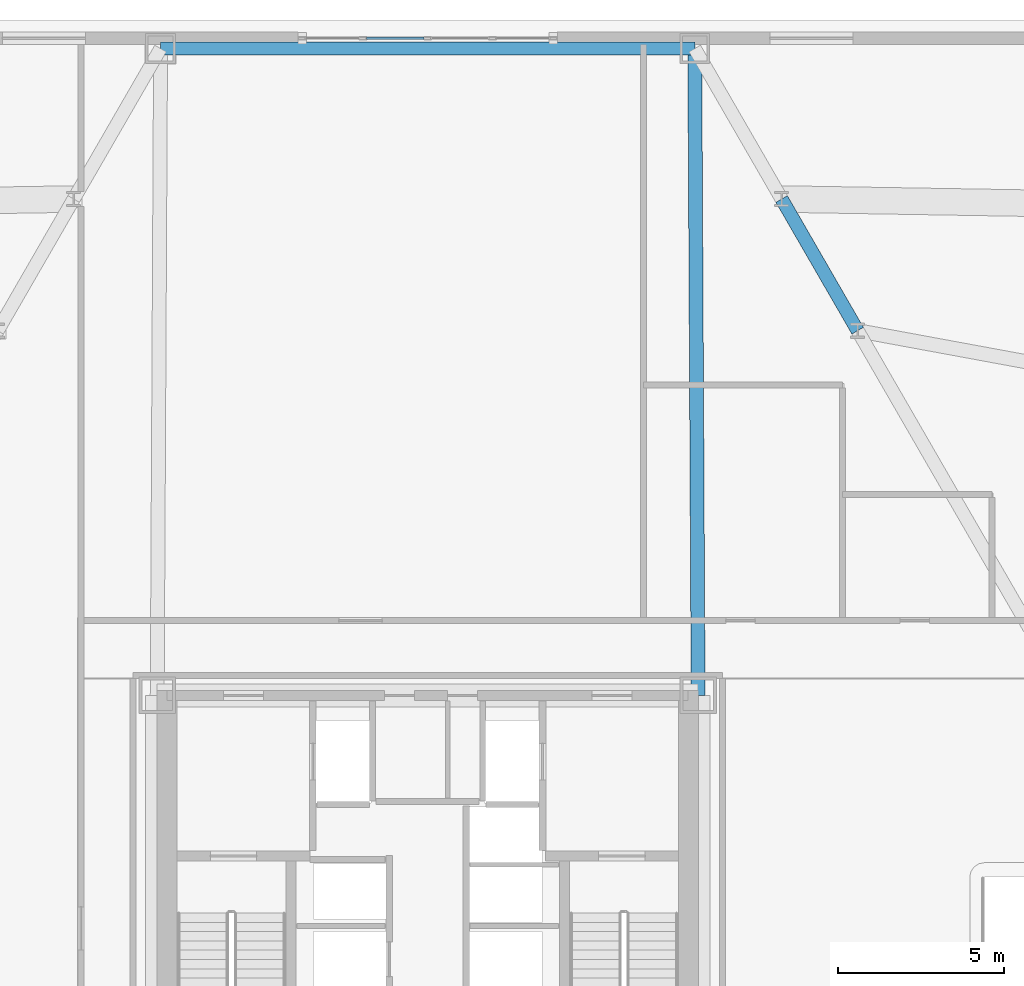
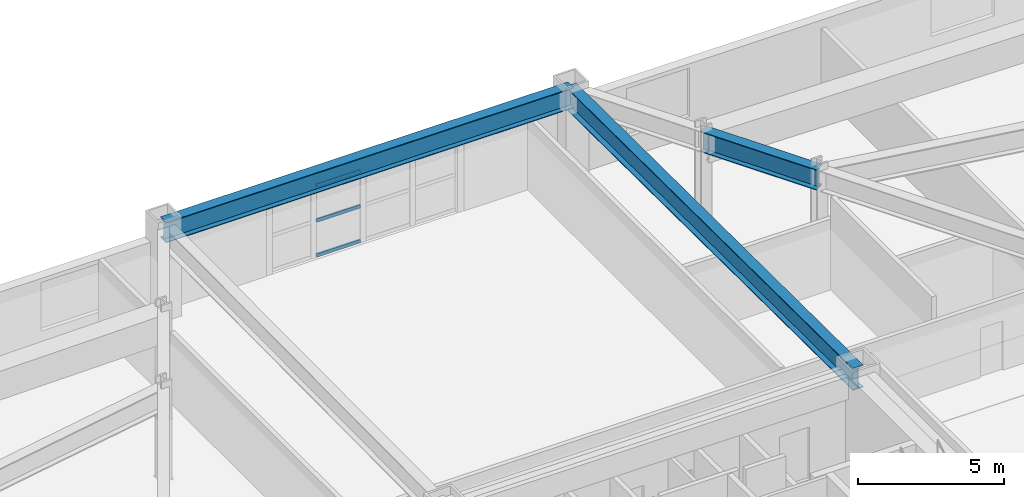
# One storey, part 9 of 22: 3 beams, 3 members, 1 element without a shape of its own.
"""IFC4 building model written with IfcOpenShell, lengths in metres."""

from ifc_helpers import new_model, si_unit, direction, frame, origin, origin_2d, place, context, subcontext, project, spatial, hollow_rectangle, i_section, extrude, material, layer, layer_set, material_profile, profile_set, type_object, element, aggregate, save


model = new_model("IFC4")

# Units and contexts
model_context = context("Model", 3, precision=1e-05, world=origin(), true_north=direction((0.0, 1.0)))
body_context = subcontext(model_context, "Body", "Model", "MODEL_VIEW")
ifc_project = project(units=[si_unit("LENGTHUNIT", "METRE"), si_unit("AREAUNIT", "SQUARE_METRE"), si_unit("VOLUMEUNIT", "CUBIC_METRE"), si_unit("PLANEANGLEUNIT", "RADIAN"), si_unit("MASSUNIT", "GRAM", prefix="KILO")], contexts=[model_context])

# Site, building, storey
site_placement = place(None, origin())
site = spatial("IfcSite", under=ifc_project, at=site_placement, CompositionType="ELEMENT")
building_placement = place(site_placement, origin())
building = spatial("IfcBuilding", under=site, at=building_placement, Name="Oramaril Tower", CompositionType="ELEMENT")
storey_placement = place(building_placement, frame((0.0, 0.0, 14.10009765625)))
storey = spatial("IfcBuildingStorey", under=building, at=storey_placement, Name="L03", CompositionType="ELEMENT", Elevation=14.10009765625)

# Beams
ifc_material_1 = material(Name="Steel ASTM A572 Gr 50", Category="steel")
ifc_material_profile_1 = material_profile(ifc_material_1, i_section(OverallWidth=0.4189453125, OverallDepth=0.927001953125, WebThickness=0.019287109375, FlangeThickness=0.031982421875, at=origin_2d()), Name="W36X231")
ifc_profile_set_1 = profile_set([ifc_material_profile_1], Name="Steel ASTM A572 Gr 50")
beam_type_1 = type_object("IfcBeamType", Name="BT-PG2", PredefinedType="BEAM", material=ifc_profile_set_1)
beam_1_placement = place(storey_placement, frame((45.64990234375, 24.14990234375, 3.456298828125), z_axis=(-0.005223463456, 0.999986357622, 0.0), x_axis=(-0.999986357622, -0.005223463456, 0.0)))
element("IfcBeam", 1, at=beam_1_placement, inside=storey, type_object=beam_type_1, Name="L03 Radial Primary Beam RB-05", PredefinedType="BEAM", context=body_context, shape_type="SweptSolid", body=[
    extrude(i_section(OverallWidth=0.4189453125, OverallDepth=0.927001953125, WebThickness=0.019287109375, FlangeThickness=0.031982421875, at=origin_2d()), origin(), (0.0, 0.0, 1.0), 19.490234375),
])
ifc_material_2 = material(Name="Steel ASTM A572 Gr 50", Category="steel")
ifc_material_profile_2 = material_profile(ifc_material_2, i_section(OverallWidth=0.40087890625, OverallDepth=0.85595703125, WebThickness=0.018310546875, FlangeThickness=0.029296875, at=origin_2d()), Name="W33X201")
ifc_profile_set_2 = profile_set([ifc_material_profile_2], Name="Steel ASTM A572 Gr 50")
beam_type_2 = type_object("IfcBeamType", Name="BT-SP1", PredefinedType="SPANDREL", material=ifc_profile_set_2)
beam_2_placement = place(storey_placement, frame((50.456787109375, 35.137939453125, 3.491943359375), z_axis=(-0.499996140324, 0.866027632158, 0.0), x_axis=(-0.866027632158, -0.499996140324, 0.0)))
element("IfcBeam", 2, at=beam_2_placement, inside=storey, type_object=beam_type_2, Name="L03 Perimeter Spandrel 11", PredefinedType="SPANDREL", context=body_context, shape_type="SweptSolid", body=[
    extrude(i_section(OverallWidth=0.40087890625, OverallDepth=0.85595703125, WebThickness=0.018310546875, FlangeThickness=0.029296875, at=origin_2d()), origin(), (0.0, 0.0, 1.0), 4.58154296875),
])
beam_3_placement = place(storey_placement, frame((45.548095703125, 43.639892578125, 3.491943359375), z_axis=(-1.0, 0.0, 0.0), x_axis=(0.0, -1.0, 0.0)))
element("IfcBeam", 3, at=beam_3_placement, inside=storey, type_object=beam_type_2, Name="L03 Perimeter Spandrel 13", PredefinedType="SPANDREL", context=body_context, shape_type="SweptSolid", body=[
    extrude(i_section(OverallWidth=0.40087890625, OverallDepth=0.85595703125, WebThickness=0.018310546875, FlangeThickness=0.029296875, at=origin_2d()), origin(), (0.0, 0.0, 1.0), 16.09619140625),
])

# Curtain wall, members
ifc_material_3 = material(Name="Anodised Aluminium 6063-T6", Category="aluminium")
ifc_layer = layer(ifc_material_3, 0.219970703125)
ifc_layer_set = layer_set([ifc_layer], Name="CWT-SYS2")
curtain_wall_type = type_object("IfcCurtainWallType", Name="CWT-SYS2", PredefinedType="NOTDEFINED", material=ifc_layer_set)
curtain_wall_placement = place(storey_placement, origin())
curtain_wall = element("IfcCurtainWall", 4, at=curtain_wall_placement, inside=storey, type_object=curtain_wall_type, Name="L03 Unitised Curtain Wall CW-2", PredefinedType="NOTDEFINED")
ifc_material_4 = material(Name="Anodised Aluminium 6063-T6", Category="aluminium")
ifc_material_profile_3 = material_profile(ifc_material_4, hollow_rectangle(XDim=0.06494140625, YDim=0.139892578125, WallThickness=0.00390625, at=origin_2d()), Name="CWT140X65")
ifc_profile_set_3 = profile_set([ifc_material_profile_3], Name="Anodised Aluminium 6063-T6")
member_type = type_object("IfcMemberType", Name="MT-CWT2", PredefinedType="USERDEFINED", material=ifc_profile_set_3)
member_1_placement = place(storey_placement, frame((37.389892578125, 43.949951171875, 0.06982421875), z_axis=(-1.0, 0.0, 0.0), x_axis=(0.0, -1.0, 0.0)))
member_1 = element("IfcMember", 5, at=member_1_placement, type_object=member_type, Name="CW-2 transom 3.1", ObjectType="TRANSOM", PredefinedType="USERDEFINED", context=body_context, shape_type="SweptSolid", body=[
    extrude(hollow_rectangle(XDim=0.06494140625, YDim=0.139892578125, WallThickness=0.00390625, at=origin_2d()), origin(), (0.0, 0.0, 1.0), 1.72998046875),
])
member_2_placement = place(storey_placement, frame((37.389892578125, 43.949951171875, 1.52685546875), z_axis=(-1.0, 0.0, 0.0), x_axis=(0.0, -1.0, 0.0)))
member_2 = element("IfcMember", 6, at=member_2_placement, type_object=member_type, Name="CW-2 transom 3.2", ObjectType="TRANSOM", PredefinedType="USERDEFINED", context=body_context, shape_type="SweptSolid", body=[
    extrude(hollow_rectangle(XDim=0.06494140625, YDim=0.139892578125, WallThickness=0.00390625, at=origin_2d()), origin(), (0.0, 0.0, 1.0), 1.72998046875),
])
member_3_placement = place(storey_placement, frame((37.389892578125, 43.949951171875, 2.98388671875), z_axis=(-1.0, 0.0, 0.0), x_axis=(0.0, -1.0, 0.0)))
member_3 = element("IfcMember", 7, at=member_3_placement, type_object=member_type, Name="CW-2 transom 3.3", ObjectType="TRANSOM", PredefinedType="USERDEFINED", context=body_context, shape_type="SweptSolid", body=[
    extrude(hollow_rectangle(XDim=0.06494140625, YDim=0.139892578125, WallThickness=0.00390625, at=origin_2d()), origin(), (0.0, 0.0, 1.0), 1.72998046875),
])
aggregate(curtain_wall, [member_1, member_2, member_3])

save(model, "model.ifc")
